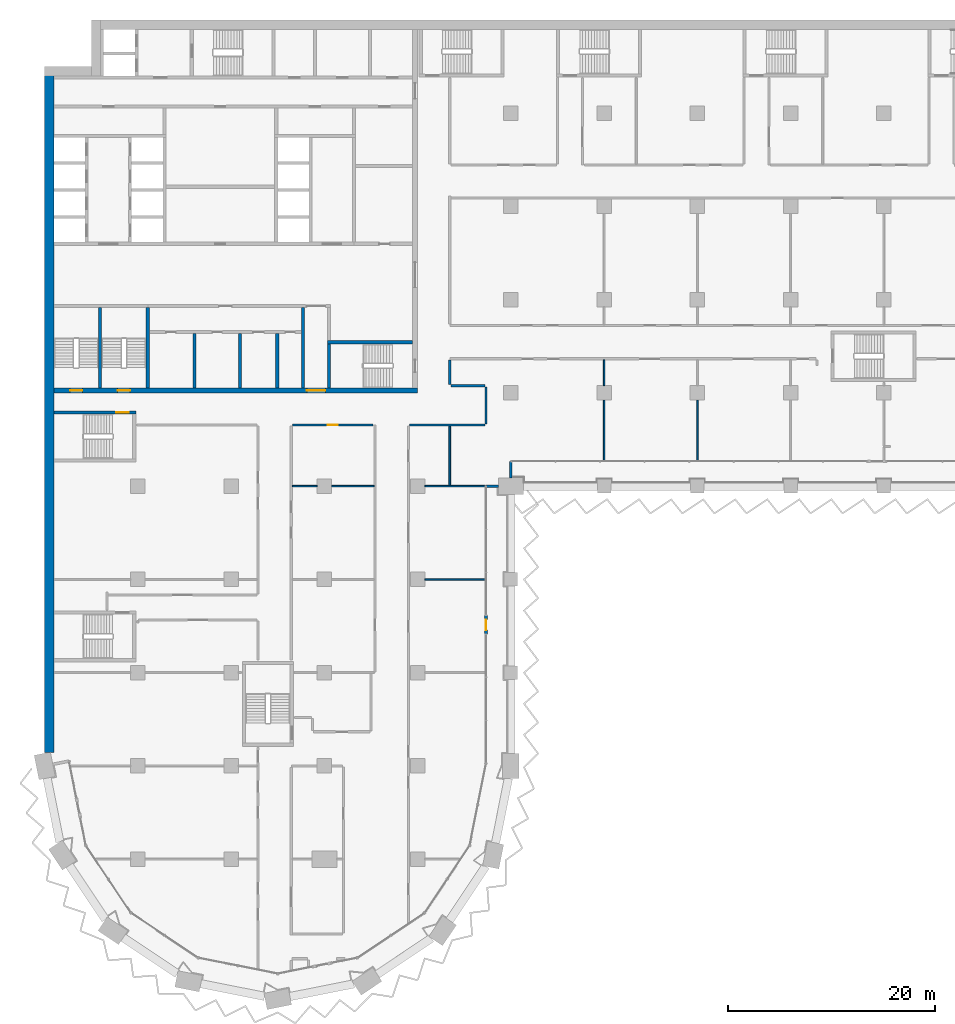
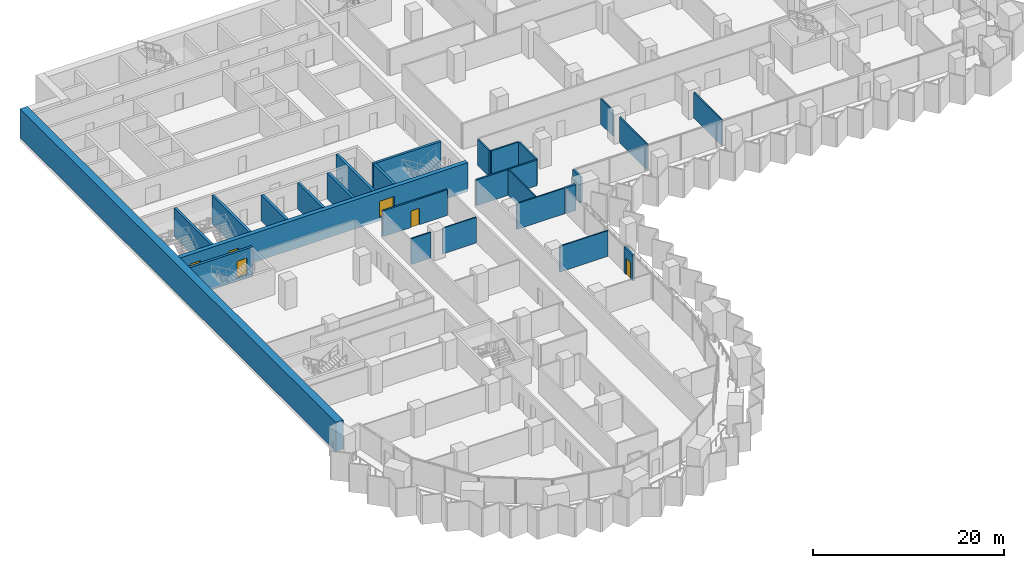
# One storey, part 12 of 28: 27 walls, 6 doors, 6 openings.
"""IFC4 building model written with IfcOpenShell, lengths in metres."""

from ifc_helpers import new_model, si_unit, direction, frame, frame_2d, origin, place, context, subcontext, project, spatial, rectangle, extrude, material, layer, layer_set, type_object, element, fill, save


model = new_model("IFC4")

# Units and contexts
model_context = context("Model", 3, precision=1e-05, world=origin(), true_north=direction((0.0, 1.0)))
body_context = subcontext(model_context, "Body", "Model", "MODEL_VIEW")
ifc_project = project(units=[si_unit("LENGTHUNIT", "METRE"), si_unit("AREAUNIT", "SQUARE_METRE"), si_unit("VOLUMEUNIT", "CUBIC_METRE"), si_unit("PLANEANGLEUNIT", "RADIAN"), si_unit("MASSUNIT", "GRAM", prefix="KILO")], contexts=[model_context])

# Site, building, storey
site_placement = place(None, origin())
site = spatial("IfcSite", under=ifc_project, at=site_placement, CompositionType="ELEMENT")
building_placement = place(site_placement, origin())
building = spatial("IfcBuilding", under=site, at=building_placement, Name="Hunhe Ridgeline Campus", CompositionType="ELEMENT")
storey_placement = place(building_placement, frame((0.0, 0.0, 61.699951171875)))
storey = spatial("IfcBuildingStorey", under=building, at=storey_placement, Name="L14", CompositionType="ELEMENT", Elevation=61.699951171875)

# Walls
ifc_material_1 = material(Name="Masonry concrete blockwork", Category="masonry")
ifc_layer_1 = layer(ifc_material_1, 0.300048828125)
ifc_layer_set_1 = layer_set([ifc_layer_1], Name="Core room partition 300 concrete block")
wall_type_1 = type_object("IfcWallType", Name="Core room partition 300 concrete block", PredefinedType="PARTITIONING", material=ifc_layer_set_1)
for number, where, z_axis, x_axis, name in (
    (1, (14.449951171875, 63.5, 0.0), (0.0, 0.0, 1.0), (0.0, 1.0, 0.0), "L14 core partition 47"),
    (2, (18.85009765625, 63.5, 0.0), (0.0, 0.0, 1.0), (0.0, 1.0, 0.0), "L14 core partition 48"),
    (3, (22.449951171875, 63.5, 0.0), (0.0, 0.0, 1.0), (0.0, 1.0, 0.0), "L14 core partition 53"),
):
    element("IfcWall", number, at=place(storey_placement, frame(where, z_axis=z_axis, x_axis=x_axis)), inside=storey, type_object=wall_type_1, Name=name, PredefinedType="PARTITIONING", context=body_context, shape_type="SweptSolid", body=[
        extrude(rectangle(XDim=5.25, YDim=0.300048828125, at=frame_2d((2.625, 0.0))), origin(), (0.0, 0.0, 1.0), 3.300048828125),
    ])
wall_1_placement = place(storey_placement, frame((24.949951171875, 63.5, 0.0), z_axis=(0.0, 0.0, 1.0), x_axis=(0.0, 1.0, 0.0)))
element("IfcWall", 4, at=wall_1_placement, inside=storey, type_object=wall_type_1, Name="L14 core partition 55", PredefinedType="PARTITIONING", context=body_context, shape_type="SweptSolid", body=[
    extrude(rectangle(XDim=7.75, YDim=0.300048828125, at=frame_2d((3.875, 0.0))), origin(), (0.0, 0.0, 1.0), 3.300048828125),
])

# Wall, openings, doors
ifc_material_2 = material(Name="Concrete C80", Category="concrete")
ifc_layer_2 = layer(ifc_material_2, 0.5)
ifc_layer_set_2 = layer_set([ifc_layer_2], Name="Core wall 500 reinforced concrete C80")
wall_type_2 = type_object("IfcWallType", Name="Core wall 500 reinforced concrete C80", PredefinedType="SOLIDWALL", material=ifc_layer_set_2)
wall_2_placement = place(storey_placement, frame((0.89990234375, 63.25, -0.39990234375), z_axis=(0.0, 0.0, 1.0), x_axis=(1.0, 0.0, 0.0)))
wall_2 = element("IfcWall", 5, at=wall_2_placement, inside=storey, type_object=wall_type_2, Name="L14 core wall 7", PredefinedType="SOLIDWALL", context=body_context, shape_type="SweptSolid", body=[
    extrude(rectangle(XDim=35.10009765625, YDim=0.5, at=frame_2d((17.550048828125, 0.0))), origin(), (0.0, 0.0, 1.0), 3.699951171875),
])
opening_1_placement = place(wall_2_placement, frame((24.39990234375, 0.0, 0.39990234375)))
opening_1 = element("IfcOpeningElement", 6, at=opening_1_placement, cuts=wall_2, Name="Opening CD6", PredefinedType="OPENING", context=body_context, shape_type="SweptSolid", body=[
    extrude(rectangle(XDim=1.800048828125, YDim=2.10009765625, at=frame_2d((0.89990234375, 1.050048828125))), frame((0.0, 0.25, 0.0), z_axis=(0.0, -1.0, 0.0), x_axis=(1.0, 0.0, 0.0)), (0.0, 0.0, 1.0), 0.5),
])
opening_2_placement = place(wall_2_placement, frame((1.550048828125, 0.0, 0.39990234375)))
opening_2 = element("IfcOpeningElement", 7, at=opening_2_placement, cuts=wall_2, Name="Opening CD13", PredefinedType="OPENING", context=body_context, shape_type="SweptSolid", body=[
    extrude(rectangle(XDim=1.199951171875, YDim=2.10009765625, at=frame_2d((0.60009765625, 1.050048828125))), frame((0.0, 0.25, 0.0), z_axis=(0.0, -1.0, 0.0), x_axis=(1.0, 0.0, 0.0)), (0.0, 0.0, 1.0), 0.5),
])
opening_3_placement = place(wall_2_placement, frame((6.14990234375, 0.0, 0.39990234375)))
opening_3 = element("IfcOpeningElement", 8, at=opening_3_placement, cuts=wall_2, Name="Opening CD14", PredefinedType="OPENING", context=body_context, shape_type="SweptSolid", body=[
    extrude(rectangle(XDim=1.199951171875, YDim=2.10009765625, at=frame_2d((0.60009765625, 1.050048828125))), frame((0.0, 0.25, 0.0), z_axis=(0.0, -1.0, 0.0), x_axis=(1.0, 0.0, 0.0)), (0.0, 0.0, 1.0), 0.5),
])
ifc_material_3 = material(Name="Anodised aluminium and glass", Category="aluminium")
door_type_1 = type_object("IfcDoorType", Name="Glazed double door 1800x2100", OperationType="DOUBLE_DOOR_SINGLE_SWING", PredefinedType="DOOR", material=ifc_material_3)
door_1_placement = place(opening_1_placement, frame((1.800048828125, 0.0, 0.0), z_axis=(0.0, 0.0, 1.0), x_axis=(-1.0, 0.0, 0.0)))
door_1 = element("IfcDoor", 9, at=door_1_placement, inside=storey, type_object=door_type_1, Name="L14 door VEST-FLOOR", OperationType="DOUBLE_DOOR_SINGLE_SWING", OverallHeight=2.10009765625, OverallWidth=1.800048828125, PredefinedType="DOOR", context=body_context, shape_type="SweptSolid", body=[
    extrude(rectangle(XDim=1.800048828125, YDim=2.10009765625, at=frame_2d((0.89990234375, 1.050048828125))), frame((0.0, 0.02490234375, 0.0), z_axis=(0.0, -1.0, 0.0), x_axis=(1.0, 0.0, 0.0)), (0.0, 0.0, 1.0), 0.050048828125),
])
fill(opening_1, door_1)
ifc_material_4 = material(Name="Hollow metal fire door leaf")
door_type_2 = type_object("IfcDoorType", Name="Stair door 1200x2100 FD60", OperationType="SINGLE_SWING_LEFT", PredefinedType="DOOR", material=ifc_material_4)
door_2_placement = place(opening_2_placement, frame((1.199951171875, 0.0, 0.0), z_axis=(0.0, 0.0, 1.0), x_axis=(-1.0, 0.0, 0.0)))
door_2 = element("IfcDoor", 10, at=door_2_placement, inside=storey, type_object=door_type_2, Name="L14 door S3", OperationType="SINGLE_SWING_RIGHT", OverallHeight=2.10009765625, OverallWidth=1.199951171875, PredefinedType="DOOR", context=body_context, shape_type="SweptSolid", body=[
    extrude(rectangle(XDim=1.199951171875, YDim=2.10009765625, at=frame_2d((0.60009765625, 1.050048828125))), frame((0.0, 0.02490234375, 0.0), z_axis=(0.0, -1.0, 0.0), x_axis=(1.0, 0.0, 0.0)), (0.0, 0.0, 1.0), 0.050048828125),
])
fill(opening_2, door_2)
door_3_placement = place(opening_3_placement, frame((1.199951171875, 0.0, 0.0), z_axis=(0.0, 0.0, 1.0), x_axis=(-1.0, 0.0, 0.0)))
door_3 = element("IfcDoor", 11, at=door_3_placement, inside=storey, type_object=door_type_2, Name="L14 door S4", OperationType="SINGLE_SWING_LEFT", OverallHeight=2.10009765625, OverallWidth=1.199951171875, PredefinedType="DOOR", context=body_context, shape_type="SweptSolid", body=[
    extrude(rectangle(XDim=1.199951171875, YDim=2.10009765625, at=frame_2d((0.60009765625, 1.050048828125))), frame((0.0, 0.02490234375, 0.0), z_axis=(0.0, -1.0, 0.0), x_axis=(1.0, 0.0, 0.0)), (0.0, 0.0, 1.0), 0.050048828125),
])
fill(opening_3, door_3)

# Walls
ifc_material_5 = material(Name="Concrete C30", Category="concrete")
ifc_layer_3 = layer(ifc_material_5, 0.25)
ifc_layer_set_3 = layer_set([ifc_layer_3], Name="Corner return wall 250 Concrete C30")
wall_type_3 = type_object("IfcWallType", Name="Corner return wall 250 Concrete C30", PredefinedType="SOLIDWALL", material=ifc_layer_set_3)
wall_3_placement = place(storey_placement, frame((42.59912109375, 54.0, 0.0), z_axis=(0.0, 0.0, 1.0), x_axis=(0.999999917344, 0.000406586671, 0.0)))
element("IfcWall", 12, at=wall_3_placement, inside=storey, type_object=wall_type_3, Name="Corner return wall 2", PredefinedType="SOLIDWALL", context=body_context, shape_type="SweptSolid", body=[
    extrude(rectangle(XDim=1.200927734375, YDim=0.25, at=frame_2d((0.6005859375, 0.0))), origin(), (0.0, 0.0, 1.0), 3.300048828125),
])
wall_4_placement = place(storey_placement, frame((44.999267578125, 54.800048828125, 0.0), z_axis=(0.0, 0.0, 1.0), x_axis=(0.000152508767, 0.999999988371, 0.0)))
element("IfcWall", 13, at=wall_4_placement, inside=storey, type_object=wall_type_3, Name="Corner return wall 3", PredefinedType="SOLIDWALL", context=body_context, shape_type="SweptSolid", body=[
    extrude(rectangle(XDim=1.600830078125, YDim=0.25, at=frame_2d((0.80029296875, 0.0))), origin(), (0.0, 0.0, 1.0), 3.300048828125),
])

# Wall, opening, door
ifc_material_6 = material(Name="Gypsum board partition")
ifc_layer_4 = layer(ifc_material_6, 0.199951171875)
ifc_layer_set_4 = layer_set([ifc_layer_4], Name="Corridor partition 200 gypsum board on steel studs")
wall_type_4 = type_object("IfcWallType", Name="Corridor partition 200 gypsum board on steel studs", PredefinedType="PARTITIONING", material=ifc_layer_set_4)
wall_5_placement = place(storey_placement, frame((31.6982421875, 59.89990234375, 0.0), z_axis=(0.0, 0.0, 1.0), x_axis=(-1.0, 0.0, 0.0)))
wall_5 = element("IfcWall", 14, at=wall_5_placement, inside=storey, type_object=wall_type_4, Name="F-L14-wall-036", PredefinedType="PARTITIONING", context=body_context, shape_type="SweptSolid", body=[
    extrude(rectangle(XDim=7.79833984375, YDim=0.199951171875, at=frame_2d((3.899169921875, 0.0))), origin(), (0.0, 0.0, 1.0), 3.300048828125),
])
opening_4_placement = place(wall_5_placement, frame((3.399169921875, 0.0, 0.0)))
opening_4 = element("IfcOpeningElement", 15, at=opening_4_placement, cuts=wall_5, Name="Opening RD1-022", PredefinedType="OPENING", context=body_context, shape_type="SweptSolid", body=[
    extrude(rectangle(XDim=1.0, YDim=2.10009765625, at=frame_2d((0.5, 1.050048828125))), frame((0.0, 0.10009765625, 0.0), z_axis=(0.0, -1.0, 0.0), x_axis=(1.0, 0.0, 0.0)), (0.0, 0.0, 1.0), 0.199951171875),
])
ifc_material_7 = material(Name="Timber door leaf", Category="wood")
door_type_3 = type_object("IfcDoorType", Name="Single fire door 1000x2100 timber FD60", OperationType="NOTDEFINED", PredefinedType="DOOR", material=ifc_material_7)
door_4_placement = place(opening_4_placement, origin())
door_4 = element("IfcDoor", 16, at=door_4_placement, inside=storey, type_object=door_type_3, Name="F-L14-door-022", OperationType="SINGLE_SWING_LEFT", OverallHeight=2.10009765625, OverallWidth=1.0, PredefinedType="DOOR", context=body_context, shape_type="SweptSolid", body=[
    extrude(rectangle(XDim=1.0, YDim=2.10009765625, at=frame_2d((0.5, 1.050048828125))), frame((0.0, 0.02490234375, 0.0), z_axis=(0.0, -1.0, 0.0), x_axis=(1.0, 0.0, 0.0)), (0.0, 0.0, 1.0), 0.050048828125),
])
fill(opening_4, door_4)

# Walls
wall_6_placement = place(storey_placement, frame((42.5, 59.89990234375, 0.0), z_axis=(0.0, 0.0, 1.0), x_axis=(-1.0, 0.0, 0.0)))
element("IfcWall", 17, at=wall_6_placement, inside=storey, type_object=wall_type_4, Name="F-L14-wall-037", PredefinedType="PARTITIONING", context=body_context, shape_type="SweptSolid", body=[
    extrude(rectangle(XDim=7.300048828125, YDim=0.199951171875, at=frame_2d((3.64990234375, 0.0))), origin(), (0.0, 0.0, 1.0), 3.300048828125),
])
wall_7_placement = place(storey_placement, frame((39.199951171875, 63.699951171875, 0.0), z_axis=(0.0, 0.0, 1.0), x_axis=(1.0, 0.0, 0.0)))
element("IfcWall", 18, at=wall_7_placement, inside=storey, type_object=wall_type_4, Name="F-L14-wall-038", PredefinedType="PARTITIONING", context=body_context, shape_type="SweptSolid", body=[
    extrude(rectangle(XDim=3.300048828125, YDim=0.199951171875, at=frame_2d((1.64990234375, 0.0))), origin(), (0.0, 0.0, 1.0), 3.300048828125),
])
wall_8_placement = place(storey_placement, frame((39.10009765625, 66.174560546875, 0.0), z_axis=(0.0, 0.0, 1.0), x_axis=(0.0, -1.0, 0.0)))
element("IfcWall", 19, at=wall_8_placement, inside=storey, type_object=wall_type_4, Name="F-L14-wall-062", PredefinedType="PARTITIONING", context=body_context, shape_type="SweptSolid", body=[
    extrude(rectangle(XDim=2.37451171875, YDim=0.199951171875, at=frame_2d((1.187255859375, 0.0))), origin(), (0.0, 0.0, 1.0), 3.300048828125),
])
wall_9_placement = place(storey_placement, frame((42.60009765625, 63.60009765625, 0.0), z_axis=(0.0, 0.0, 1.0), x_axis=(0.0, -1.0, 0.0)))
element("IfcWall", 20, at=wall_9_placement, inside=storey, type_object=wall_type_4, Name="F-L14-wall-065", PredefinedType="PARTITIONING", context=body_context, shape_type="SweptSolid", body=[
    extrude(rectangle(XDim=3.60009765625, YDim=0.199951171875, at=frame_2d((1.800048828125, 0.0))), origin(), (0.0, 0.0, 1.0), 3.300048828125),
])

# Wall, opening, door
ifc_layer_5 = layer(ifc_material_5, 0.25)
ifc_layer_set_5 = layer_set([ifc_layer_5], Name="Loggia door pier wall 250 Concrete C30")
wall_type_5 = type_object("IfcWallType", Name="Loggia door pier wall 250 Concrete C30", PredefinedType="SOLIDWALL", material=ifc_layer_set_5)
wall_10_placement = place(storey_placement, frame((42.59912109375, 39.71826171875, 0.0), z_axis=(0.0, 0.0, 1.0), x_axis=(0.0, 1.0, 0.0)))
wall_10 = element("IfcWall", 21, at=wall_10_placement, inside=storey, type_object=wall_type_5, Name="Loggia door pier 3", PredefinedType="SOLIDWALL", context=body_context, shape_type="SweptSolid", body=[
    extrude(rectangle(XDim=1.800048828125, YDim=0.25, at=frame_2d((0.89990234375, 0.0))), origin(), (0.0, 0.0, 1.0), 3.300048828125),
])
opening_5_placement = place(wall_10_placement, frame((0.39990234375, 0.0, 0.0)))
opening_5 = element("IfcOpeningElement", 22, at=opening_5_placement, cuts=wall_10, Name="Opening BD105", PredefinedType="OPENING", context=body_context, shape_type="SweptSolid", body=[
    extrude(rectangle(XDim=1.0, YDim=2.10009765625, at=frame_2d((0.5, 1.050048828125))), frame((0.0, 0.125, 0.0), z_axis=(0.0, -1.0, 0.0), x_axis=(1.0, 0.0, 0.0)), (0.0, 0.0, 1.0), 0.25),
])
ifc_material_8 = material(Name="Aluminium 6063", Category="aluminium")
door_type_4 = type_object("IfcDoorType", Name="Loggia glazed door 1000x2100", OperationType="NOTDEFINED", PredefinedType="DOOR", material=ifc_material_8)
door_5_placement = place(opening_5_placement, frame((1.0, 0.0, 0.0), z_axis=(0.0, 0.0, 1.0), x_axis=(-1.0, 0.0, 0.0)))
door_5 = element("IfcDoor", 23, at=door_5_placement, inside=storey, type_object=door_type_4, Name="Loggia door BD105", OperationType="SINGLE_SWING_RIGHT", OverallHeight=2.10009765625, OverallWidth=1.0, PredefinedType="DOOR", context=body_context, shape_type="SweptSolid", body=[
    extrude(rectangle(XDim=1.0, YDim=2.10009765625, at=frame_2d((0.5, 1.050048828125))), frame((0.0, 0.02490234375, 0.0), z_axis=(0.0, -1.0, 0.0), x_axis=(1.0, 0.0, 0.0)), (0.0, 0.0, 1.0), 0.050048828125),
])
fill(opening_5, door_5)

# Walls
ifc_layer_6 = layer(ifc_material_6, 0.14990234375)
ifc_layer_set_6 = layer_set([ifc_layer_6], Name="Room partition 150 gypsum board on steel studs")
wall_type_6 = type_object("IfcWallType", Name="Room partition 150 gypsum board on steel studs", PredefinedType="PARTITIONING", material=ifc_layer_set_6)
wall_11_placement = place(storey_placement, frame((36.699951171875, 45.0, 0.0), z_axis=(0.0, 0.0, 1.0), x_axis=(1.0, 0.0, 0.0)))
element("IfcWall", 24, at=wall_11_placement, inside=storey, type_object=wall_type_6, Name="F-L14-wall-030", PredefinedType="PARTITIONING", context=body_context, shape_type="SweptSolid", body=[
    extrude(rectangle(XDim=5.844970703125, YDim=0.14990234375, at=frame_2d((2.92236328125, 0.0))), origin(), (0.0, 0.0, 1.0), 3.300048828125),
])
wall_12_placement = place(storey_placement, frame((23.89990234375, 54.0, 0.0), z_axis=(0.0, 0.0, 1.0), x_axis=(1.0, 0.0, 0.0)))
element("IfcWall", 25, at=wall_12_placement, inside=storey, type_object=wall_type_6, Name="F-L14-wall-031", PredefinedType="PARTITIONING", context=body_context, shape_type="SweptSolid", body=[
    extrude(rectangle(XDim=2.400146484375, YDim=0.14990234375, at=frame_2d((1.2001953125, 0.0))), origin(), (0.0, 0.0, 1.0), 3.300048828125),
])
wall_13_placement = place(storey_placement, frame((27.699951171875, 54.0, 0.0), z_axis=(0.0, 0.0, 1.0), x_axis=(1.0, 0.0, 0.0)))
element("IfcWall", 26, at=wall_13_placement, inside=storey, type_object=wall_type_6, Name="F-L14-wall-032", PredefinedType="PARTITIONING", context=body_context, shape_type="SweptSolid", body=[
    extrude(rectangle(XDim=4.10009765625, YDim=0.14990234375, at=frame_2d((2.050048828125, 0.0))), origin(), (0.0, 0.0, 1.0), 3.300048828125),
])
wall_14_placement = place(storey_placement, frame((36.699951171875, 54.0, 0.0), z_axis=(0.0, 0.0, 1.0), x_axis=(1.0, 0.0, 0.0)))
element("IfcWall", 27, at=wall_14_placement, inside=storey, type_object=wall_type_6, Name="F-L14-wall-033", PredefinedType="PARTITIONING", context=body_context, shape_type="SweptSolid", body=[
    extrude(rectangle(XDim=5.844970703125, YDim=0.14990234375, at=frame_2d((2.92236328125, 0.0))), origin(), (0.0, 0.0, 1.0), 3.300048828125),
])
wall_15_placement = place(storey_placement, frame((39.10009765625, 59.800048828125, 0.0), z_axis=(0.0, 0.0, 1.0), x_axis=(0.0, -1.0, 0.0)))
element("IfcWall", 28, at=wall_15_placement, inside=storey, type_object=wall_type_6, Name="F-L14-wall-061", PredefinedType="PARTITIONING", context=body_context, shape_type="SweptSolid", body=[
    extrude(rectangle(XDim=5.72509765625, YDim=0.14990234375, at=frame_2d((2.862548828125, 0.0))), origin(), (0.0, 0.0, 1.0), 3.300048828125),
])
wall_16_placement = place(storey_placement, frame((54.0, 62.300048828125, 0.0), z_axis=(0.0, 0.0, 1.0), x_axis=(0.0, -1.0, 0.0)))
element("IfcWall", 29, at=wall_16_placement, inside=storey, type_object=wall_type_6, Name="F-L14-wall-068", PredefinedType="PARTITIONING", context=body_context, shape_type="SweptSolid", body=[
    extrude(rectangle(XDim=5.84521484375, YDim=0.14990234375, at=frame_2d((2.922607421875, 0.0))), origin(), (0.0, 0.0, 1.0), 3.300048828125),
])
wall_17_placement = place(storey_placement, frame((54.0, 66.199951171875, 0.0), z_axis=(0.0, 0.0, 1.0), x_axis=(0.0, -1.0, 0.0)))
element("IfcWall", 30, at=wall_17_placement, inside=storey, type_object=wall_type_6, Name="F-L14-wall-069", PredefinedType="PARTITIONING", context=body_context, shape_type="SweptSolid", body=[
    extrude(rectangle(XDim=2.5, YDim=0.14990234375, at=frame_2d((1.25, 0.0))), origin(), (0.0, 0.0, 1.0), 3.300048828125),
])
wall_18_placement = place(storey_placement, frame((63.0, 62.300048828125, 0.0), z_axis=(0.0, 0.0, 1.0), x_axis=(0.0, -1.0, 0.0)))
element("IfcWall", 31, at=wall_18_placement, inside=storey, type_object=wall_type_6, Name="F-L14-wall-073", PredefinedType="PARTITIONING", context=body_context, shape_type="SweptSolid", body=[
    extrude(rectangle(XDim=5.84521484375, YDim=0.14990234375, at=frame_2d((2.922607421875, 0.0))), origin(), (0.0, 0.0, 1.0), 3.300048828125),
])
ifc_layer_7 = layer(ifc_material_2, 0.89990234375)
ifc_layer_set_7 = layer_set([ifc_layer_7], Name="Spine wall 900 Concrete C80")
wall_type_7 = type_object("IfcWallType", Name="Spine wall 900 Concrete C80", PredefinedType="SHEAR", material=ifc_layer_set_7)
wall_19_placement = place(storey_placement, frame((0.449951171875, 94.5, 0.0), z_axis=(0.0, 0.0, 1.0), x_axis=(0.0, -1.0, 0.0)))
element("IfcWall", 32, at=wall_19_placement, inside=storey, type_object=wall_type_7, Name="Spine wall SW1-1 L14", PredefinedType="SHEAR", context=body_context, shape_type="SweptSolid", body=[
    extrude(rectangle(XDim=66.18701171875, YDim=0.89990234375, at=frame_2d((33.093505859375, 0.0))), origin(), (0.0, 0.0, 1.0), 3.699951171875),
])

# Wall, opening, door
ifc_layer_8 = layer(ifc_material_2, 0.300048828125)
ifc_layer_set_8 = layer_set([ifc_layer_8], Name="Stair wall 300 reinforced concrete C80")
wall_type_8 = type_object("IfcWallType", Name="Stair wall 300 reinforced concrete C80", PredefinedType="SOLIDWALL", material=ifc_layer_set_8)
wall_20_placement = place(storey_placement, frame((0.89990234375, 61.10009765625, -0.39990234375), z_axis=(0.0, 0.0, 1.0), x_axis=(1.0, 0.0, 0.0)))
wall_20 = element("IfcWall", 33, at=wall_20_placement, inside=storey, type_object=wall_type_8, Name="L14 core wall 6", PredefinedType="SOLIDWALL", context=body_context, shape_type="SweptSolid", body=[
    extrude(rectangle(XDim=7.900146484375, YDim=0.300048828125, at=frame_2d((3.9501953125, 0.0))), origin(), (0.0, 0.0, 1.0), 3.699951171875),
])
opening_6_placement = place(wall_20_placement, frame((6.0, 0.0, 0.39990234375)))
opening_6 = element("IfcOpeningElement", 34, at=opening_6_placement, cuts=wall_20, Name="Opening CD22", PredefinedType="OPENING", context=body_context, shape_type="SweptSolid", body=[
    extrude(rectangle(XDim=1.199951171875, YDim=2.10009765625, at=frame_2d((0.60009765625, 1.050048828125))), frame((0.0, 0.14990234375, 0.0), z_axis=(0.0, -1.0, 0.0), x_axis=(1.0, 0.0, 0.0)), (0.0, 0.0, 1.0), 0.300048828125),
])
door_6_placement = place(opening_6_placement, origin())
door_6 = element("IfcDoor", 35, at=door_6_placement, inside=storey, type_object=door_type_2, Name="L14 door W2", OperationType="SINGLE_SWING_RIGHT", OverallHeight=2.10009765625, OverallWidth=1.199951171875, PredefinedType="DOOR", context=body_context, shape_type="SweptSolid", body=[
    extrude(rectangle(XDim=1.199951171875, YDim=2.10009765625, at=frame_2d((0.60009765625, 1.050048828125))), frame((0.0, 0.02490234375, 0.0), z_axis=(0.0, -1.0, 0.0), x_axis=(1.0, 0.0, 0.0)), (0.0, 0.0, 1.0), 0.050048828125),
])
fill(opening_6, door_6)

# Walls
wall_21_placement = place(storey_placement, frame((27.300048828125, 67.89990234375, -0.39990234375), z_axis=(0.0, 0.0, 1.0), x_axis=(1.0, 0.0, 0.0)))
element("IfcWall", 36, at=wall_21_placement, inside=storey, type_object=wall_type_8, Name="L14 core wall 9", PredefinedType="SOLIDWALL", context=body_context, shape_type="SweptSolid", body=[
    extrude(rectangle(XDim=8.199951171875, YDim=0.300048828125, at=frame_2d((4.10009765625, 0.0))), origin(), (0.0, 0.0, 1.0), 3.699951171875),
])
for number, where, z_axis, x_axis, name in (
    (37, (5.35009765625, 63.5, -0.39990234375), (0.0, 0.0, 1.0), (0.0, 1.0, 0.0), "L14 core wall 37"),
    (38, (9.949951171875, 63.5, -0.39990234375), (0.0, 0.0, 1.0), (0.0, 1.0, 0.0), "L14 core wall 43"),
):
    element("IfcWall", number, at=place(storey_placement, frame(where, z_axis=z_axis, x_axis=x_axis)), inside=storey, type_object=wall_type_8, Name=name, PredefinedType="SOLIDWALL", context=body_context, shape_type="SweptSolid", body=[
        extrude(rectangle(XDim=7.75, YDim=0.300048828125, at=frame_2d((3.875, 0.0))), origin(), (0.0, 0.0, 1.0), 3.699951171875),
    ])
wall_22_placement = place(storey_placement, frame((27.449951171875, 63.5, -0.39990234375), z_axis=(0.0, 0.0, 1.0), x_axis=(0.0, 1.0, 0.0)))
element("IfcWall", 39, at=wall_22_placement, inside=storey, type_object=wall_type_8, Name="L14 core wall 58", PredefinedType="SOLIDWALL", context=body_context, shape_type="SweptSolid", body=[
    extrude(rectangle(XDim=4.25, YDim=0.300048828125, at=frame_2d((2.125, 0.0))), origin(), (0.0, 0.0, 1.0), 3.699951171875),
])

save(model, "model.ifc")
